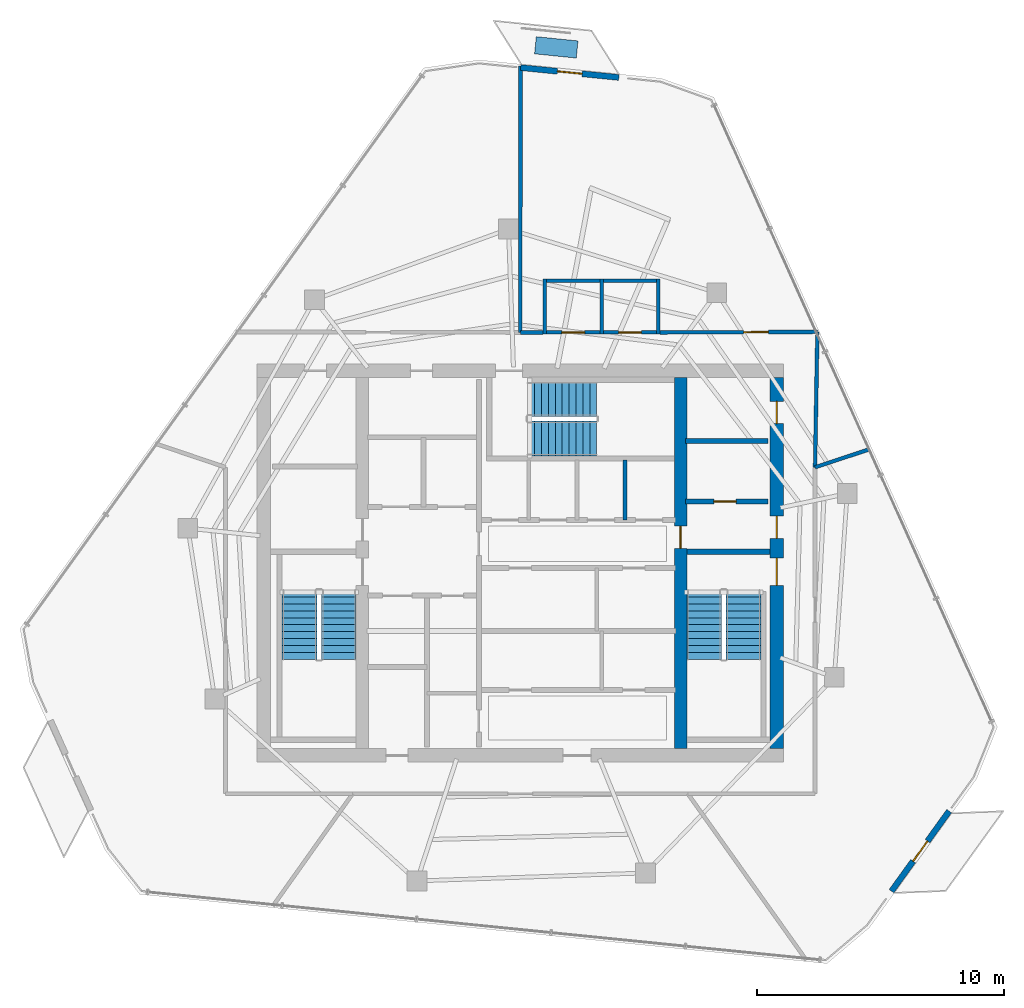
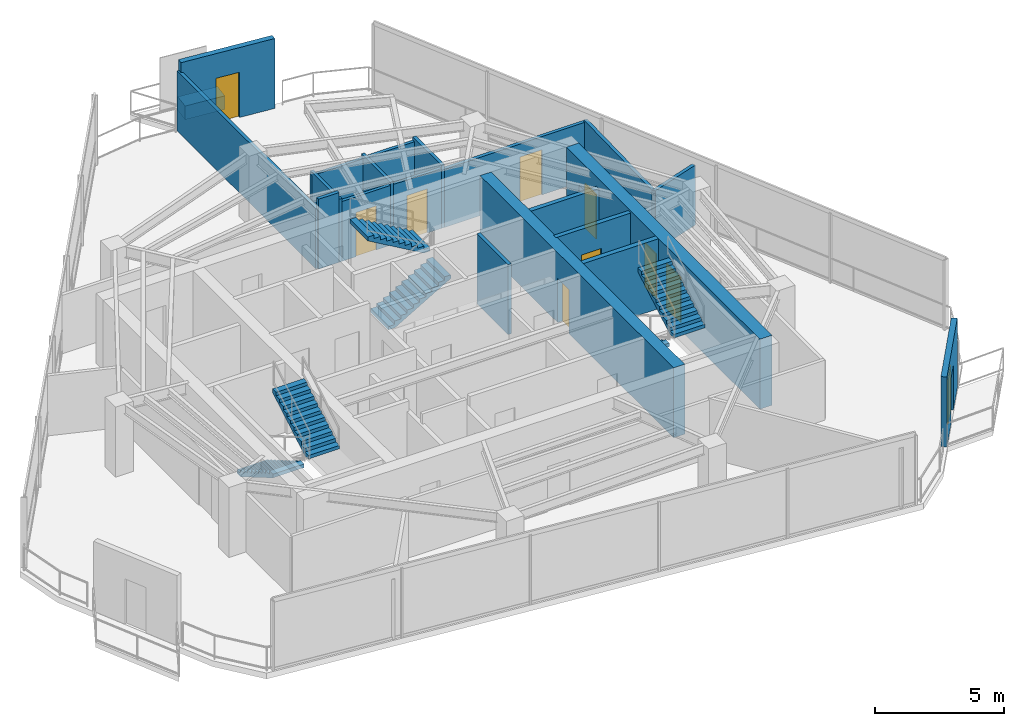
# One storey, part 16 of 18: 20 walls, 10 doors, 6 stair flights, 1 discrete accessory, 10 openings, 3 elements without a shape of their own.
"""IFC4 building model written with IfcOpenShell, lengths in metres."""

from ifc_helpers import new_model, si_unit, direction, frame, frame_2d, origin, origin_2d, place, context, subcontext, project, spatial, polyline, rectangle, outline, extrude, material, layer, layer_set, type_object, element, fill, aggregate, save


model = new_model("IFC4")

# Units and contexts
model_context = context("Model", 3, precision=1e-05, world=origin(), true_north=direction((0.0, 1.0)))
body_context = subcontext(model_context, "Body", "Model", "MODEL_VIEW")
ifc_project = project(units=[si_unit("LENGTHUNIT", "METRE"), si_unit("AREAUNIT", "SQUARE_METRE"), si_unit("VOLUMEUNIT", "CUBIC_METRE"), si_unit("PLANEANGLEUNIT", "RADIAN"), si_unit("MASSUNIT", "GRAM", prefix="KILO")], contexts=[model_context])

# Site, building, storey
site_placement = place(None, origin())
site = spatial("IfcSite", under=ifc_project, at=site_placement, CompositionType="ELEMENT")
building_placement = place(site_placement, origin())
building = spatial("IfcBuilding", under=site, at=building_placement, Name="Qarnah Convention Tower", CompositionType="ELEMENT")
storey_placement = place(building_placement, frame((0.0, 0.0, 271.5)))
storey = spatial("IfcBuildingStorey", under=building, at=storey_placement, Name="L73", CompositionType="ELEMENT", Elevation=271.5)

# Wall, openings, doors
ifc_material_1 = material(Name="Concrete C60/75", Category="concrete")
ifc_layer_1 = layer(ifc_material_1, 0.550048828125)
ifc_layer_set_1 = layer_set([ifc_layer_1], Name="Concrete C60/75")
wall_type_1 = type_object("IfcWallType", Name="WL-CORE-550", PredefinedType="SHEAR", material=ifc_layer_set_1)
wall_1_placement = place(storey_placement, frame((47.60009765625, 18.875, 0.0), z_axis=(0.0, 0.0, 1.0), x_axis=(0.0, 1.0, 0.0)))
wall_1 = element("IfcWall", 1, at=wall_1_placement, inside=storey, type_object=wall_type_1, Name="L73 core east shear wall", PredefinedType="SHEAR", context=body_context, shape_type="SweptSolid", body=[
    extrude(rectangle(XDim=15.050048828125, YDim=0.550048828125, at=frame_2d((7.52490234375, 0.0))), origin(), (0.0, 0.0, 1.0), 3.320068359375),
])
opening_1_placement = place(wall_1_placement, frame((6.625, 0.0, 0.0)))
opening_1 = element("IfcOpeningElement", 2, at=opening_1_placement, cuts=wall_1, Name="Opening D-7302", PredefinedType="OPENING", context=body_context, shape_type="SweptSolid", body=[
    extrude(rectangle(XDim=1.10009765625, YDim=2.14990234375, at=frame_2d((0.550048828125, 1.074951171875))), frame((0.0, 0.284912109375, 0.0), z_axis=(0.0, -1.0, 0.0), x_axis=(1.0, 0.0, 0.0)), (0.0, 0.0, 1.0), 0.570068359375),
])
opening_2_placement = place(wall_1_placement, frame((8.52490234375, 0.0, 0.0)))
opening_2 = element("IfcOpeningElement", 3, at=opening_2_placement, cuts=wall_1, Name="Opening D-7306", PredefinedType="OPENING", context=body_context, shape_type="SweptSolid", body=[
    extrude(rectangle(XDim=0.89990234375, YDim=2.10009765625, at=frame_2d((0.449951171875, 1.050048828125))), frame((0.0, 0.284912109375, 0.0), z_axis=(0.0, -1.0, 0.0), x_axis=(1.0, 0.0, 0.0)), (0.0, 0.0, 1.0), 0.570068359375),
])
opening_3_placement = place(wall_1_placement, frame((13.175048828125, 0.0, 0.0)))
opening_3 = element("IfcOpeningElement", 4, at=opening_3_placement, cuts=wall_1, Name="Opening D-7312", PredefinedType="OPENING", context=body_context, shape_type="SweptSolid", body=[
    extrude(rectangle(XDim=0.89990234375, YDim=2.10009765625, at=frame_2d((0.449951171875, 1.050048828125))), frame((0.0, 0.284912109375, 0.0), z_axis=(0.0, -1.0, 0.0), x_axis=(1.0, 0.0, 0.0)), (0.0, 0.0, 1.0), 0.570068359375),
])
ifc_material_2 = material(Name="Structural steel S355JR", Category="steel")
door_type_1 = type_object("IfcDoorType", Name="DT-RISER-900", OperationType="NOTDEFINED", PredefinedType="DOOR", material=ifc_material_2)
door_1_placement = place(opening_2_placement, origin())
door_1 = element("IfcDoor", 5, at=door_1_placement, inside=storey, type_object=door_type_1, Name="Door D-7306", OperationType="SINGLE_SWING_RIGHT", OverallHeight=2.10009765625, OverallWidth=0.89990234375, PredefinedType="DOOR", context=body_context, shape_type="SweptSolid", body=[
    extrude(rectangle(XDim=0.89990234375, YDim=2.10009765625, at=frame_2d((0.449951171875, 1.050048828125))), frame((0.0, 0.02490234375, 0.0), z_axis=(0.0, -1.0, 0.0), x_axis=(1.0, 0.0, 0.0)), (0.0, 0.0, 1.0), 0.050048828125),
])
fill(opening_2, door_1)
door_2_placement = place(opening_3_placement, origin())
door_2 = element("IfcDoor", 6, at=door_2_placement, inside=storey, type_object=door_type_1, Name="Door D-7312", OperationType="SINGLE_SWING_RIGHT", OverallHeight=2.10009765625, OverallWidth=0.89990234375, PredefinedType="DOOR", context=body_context, shape_type="SweptSolid", body=[
    extrude(rectangle(XDim=0.89990234375, YDim=2.10009765625, at=frame_2d((0.449951171875, 1.050048828125))), frame((0.0, 0.02490234375, 0.0), z_axis=(0.0, -1.0, 0.0), x_axis=(1.0, 0.0, 0.0)), (0.0, 0.0, 1.0), 0.050048828125),
])
fill(opening_3, door_2)
door_type_2 = type_object("IfcDoorType", Name="DT-STAIR-1100", OperationType="NOTDEFINED", PredefinedType="DOOR", material=ifc_material_2)
door_3_placement = place(opening_1_placement, origin())
door_3 = element("IfcDoor", 7, at=door_3_placement, inside=storey, type_object=door_type_2, Name="Door D-7302", OperationType="SINGLE_SWING_RIGHT", OverallHeight=2.14990234375, OverallWidth=1.10009765625, PredefinedType="DOOR", context=body_context, shape_type="SweptSolid", body=[
    extrude(rectangle(XDim=1.10009765625, YDim=2.14990234375, at=frame_2d((0.550048828125, 1.074951171875))), frame((0.0, 0.02490234375, 0.0), z_axis=(0.0, -1.0, 0.0), x_axis=(1.0, 0.0, 0.0)), (0.0, 0.0, 1.0), 0.050048828125),
])
fill(opening_1, door_3)

# Wall, opening, door
ifc_layer_2 = layer(ifc_material_1, 0.5)
ifc_layer_set_2 = layer_set([ifc_layer_2], Name="Concrete C60/75")
wall_type_2 = type_object("IfcWallType", Name="WL-CORE-INT-400", PredefinedType="SHEAR", material=ifc_layer_set_2)
wall_2_placement = place(storey_placement, frame((43.699951171875, 18.875, 0.0), z_axis=(0.0, 0.0, 1.0), x_axis=(0.0, 1.0, 0.0)))
wall_2 = element("IfcWall", 8, at=wall_2_placement, inside=storey, type_object=wall_type_2, Name="L73 core east spine shear wall", PredefinedType="SHEAR", context=body_context, shape_type="SweptSolid", body=[
    extrude(rectangle(XDim=15.050048828125, YDim=0.5, at=frame_2d((7.52490234375, 0.0))), origin(), (0.0, 0.0, 1.0), 3.320068359375),
])
opening_4_placement = place(wall_2_placement, frame((8.125, 0.0, 0.0)))
opening_4 = element("IfcOpeningElement", 9, at=opening_4_placement, cuts=wall_2, Name="Opening D-7305", PredefinedType="OPENING", context=body_context, shape_type="SweptSolid", body=[
    extrude(rectangle(XDim=0.89990234375, YDim=2.10009765625, at=frame_2d((0.449951171875, 1.050048828125))), frame((0.0, 0.260009765625, 0.0), z_axis=(0.0, -1.0, 0.0), x_axis=(1.0, 0.0, 0.0)), (0.0, 0.0, 1.0), 0.52001953125),
])
door_4_placement = place(opening_4_placement, origin())
door_4 = element("IfcDoor", 10, at=door_4_placement, inside=storey, type_object=door_type_1, Name="Door D-7305", OperationType="SINGLE_SWING_LEFT", OverallHeight=2.10009765625, OverallWidth=0.89990234375, PredefinedType="DOOR", context=body_context, shape_type="SweptSolid", body=[
    extrude(rectangle(XDim=0.89990234375, YDim=2.10009765625, at=frame_2d((0.449951171875, 1.050048828125))), frame((0.0, 0.02490234375, 0.0), z_axis=(0.0, -1.0, 0.0), x_axis=(1.0, 0.0, 0.0)), (0.0, 0.0, 1.0), 0.050048828125),
])
fill(opening_4, door_4)

ifc_material_3 = material(Name="Concrete C45/55", Category="concrete")
ifc_layer_3 = layer(ifc_material_3, 0.199951171875)
ifc_layer_set_3 = layer_set([ifc_layer_3], Name="Concrete C45/55")
wall_type_3 = type_object("IfcWallType", Name="WL-CORE-PART-200", PredefinedType="SOLIDWALL", material=ifc_layer_set_3)
wall_3_placement = place(storey_placement, frame((43.89990234375, 28.89990234375, 0.0), z_axis=(0.0, 0.0, 1.0), x_axis=(1.0, 0.0, 0.0)))
wall_3 = element("IfcWall", 11, at=wall_3_placement, inside=storey, type_object=wall_type_3, Name="L73 interior wall IW-L73-EVSTN", PredefinedType="SOLIDWALL", context=body_context, shape_type="SweptSolid", body=[
    extrude(rectangle(XDim=3.35009765625, YDim=0.199951171875, at=frame_2d((1.675048828125, 0.0))), origin(), (0.0, 0.0, 1.0), 3.320068359375),
])
opening_5_placement = place(wall_3_placement, frame((1.14990234375, 0.0, 0.0)))
opening_5 = element("IfcOpeningElement", 12, at=opening_5_placement, cuts=wall_3, Name="Opening D-7311", PredefinedType="OPENING", context=body_context, shape_type="SweptSolid", body=[
    extrude(rectangle(XDim=0.89990234375, YDim=2.10009765625, at=frame_2d((0.449951171875, 1.050048828125))), frame((0.0, 0.10986328125, 0.0), z_axis=(0.0, -1.0, 0.0), x_axis=(1.0, 0.0, 0.0)), (0.0, 0.0, 1.0), 0.219970703125),
])
door_5_placement = place(opening_5_placement, origin())
door_5 = element("IfcDoor", 13, at=door_5_placement, inside=storey, type_object=door_type_1, Name="Door D-7311", OperationType="SINGLE_SWING_LEFT", OverallHeight=2.10009765625, OverallWidth=0.89990234375, PredefinedType="DOOR", context=body_context, shape_type="SweptSolid", body=[
    extrude(rectangle(XDim=0.89990234375, YDim=2.10009765625, at=frame_2d((0.449951171875, 1.050048828125))), frame((0.0, 0.02490234375, 0.0), z_axis=(0.0, -1.0, 0.0), x_axis=(1.0, 0.0, 0.0)), (0.0, 0.0, 1.0), 0.050048828125),
])
fill(opening_5, door_5)

# Walls
wall_4_placement = place(storey_placement, frame((43.89990234375, 31.35009765625, 0.0), z_axis=(0.0, 0.0, 1.0), x_axis=(1.0, 0.0, 0.0)))
element("IfcWall", 14, at=wall_4_placement, inside=storey, type_object=wall_type_3, Name="L73 interior wall IW-L73-WTRN", PredefinedType="SOLIDWALL", context=body_context, shape_type="SweptSolid", body=[
    extrude(rectangle(XDim=3.35009765625, YDim=0.199951171875, at=frame_2d((1.675048828125, 0.0))), origin(), (0.0, 0.0, 1.0), 2.992919921875),
])
ifc_layer_4 = layer(ifc_material_1, 0.219970703125)
ifc_layer_set_4 = layer_set([ifc_layer_4], Name="Concrete C60/75")
wall_type_4 = type_object("IfcWallType", Name="WL-CORE-STAIR-220", PredefinedType="SHEAR", material=ifc_layer_set_4)
wall_5_placement = place(storey_placement, frame((43.949951171875, 26.860107421875, 0.0), z_axis=(0.0, 0.0, 1.0), x_axis=(1.0, 0.0, 0.0)))
element("IfcWall", 15, at=wall_5_placement, inside=storey, type_object=wall_type_4, Name="L73 stair shaft shear wall SW-L73-ST2N", PredefinedType="SHEAR", context=body_context, shape_type="SweptSolid", body=[
    extrude(rectangle(XDim=3.375, YDim=0.219970703125, at=frame_2d((1.6875, 0.0))), origin(), (0.0, 0.0, 1.0), 3.320068359375),
])

# Wall, opening, door
ifc_material_4 = material(Name="Precast concrete C45/55", Category="concrete")
ifc_layer_5 = layer(ifc_material_4, 0.239990234375)
ifc_layer_set_5 = layer_set([ifc_layer_5], Name="Precast concrete C45/55")
wall_type_5 = type_object("IfcWallType", Name="WL-EXT-BAL-240", PredefinedType="SOLIDWALL", material=ifc_layer_set_5)
wall_6_placement = place(storey_placement, frame((37.216064453125, 46.487060546875, 0.0), z_axis=(0.0, 0.0, 1.0), x_axis=(0.994959540857, -0.100277176152, 0.0)))
wall_6 = element("IfcWall", 16, at=wall_6_placement, inside=storey, type_object=wall_type_5, Name="L73 loggia threshold wall BAL-L73-C1", PredefinedType="SOLIDWALL", context=body_context, shape_type="SweptSolid", body=[
    extrude(rectangle(XDim=4.000244140625, YDim=0.239990234375, at=frame_2d((2.0, 0.0))), origin(), (0.0, 0.0, 1.0), 3.320068359375),
])
opening_6_placement = place(wall_6_placement, frame((1.5, 0.0, 0.0)))
opening_6 = element("IfcOpeningElement", 17, at=opening_6_placement, cuts=wall_6, Name="Opening BD-7301", PredefinedType="OPENING", context=body_context, shape_type="SweptSolid", body=[
    extrude(rectangle(XDim=1.0, YDim=2.14990234375, at=frame_2d((0.5, 1.074951171875))), frame((0.0, 0.1298828125, 0.0), z_axis=(0.0, -1.0, 0.0), x_axis=(1.0, 0.0, 0.0)), (0.0, 0.0, 1.0), 0.260009765625),
])
ifc_material_5 = material(Name="Black anodised aluminium", Category="aluminium")
door_type_3 = type_object("IfcDoorType", Name="DT-BAL-1000", OperationType="NOTDEFINED", PredefinedType="DOOR", material=ifc_material_5)
door_6_placement = place(opening_6_placement, origin())
door_6 = element("IfcDoor", 18, at=door_6_placement, inside=storey, type_object=door_type_3, Name="L73 balcony terrace door BAL-L73-C1", OperationType="SINGLE_SWING_RIGHT", OverallHeight=2.14990234375, OverallWidth=1.0, PredefinedType="DOOR", context=body_context, shape_type="SweptSolid", body=[
    extrude(rectangle(XDim=1.0, YDim=2.14990234375, at=frame_2d((0.5, 1.074951171875))), frame((0.0, 0.02490234375, 0.0), z_axis=(0.0, -1.0, 0.0), x_axis=(1.0, 0.0, 0.0)), (0.0, 0.0, 1.0), 0.050048828125),
])
fill(opening_6, door_6)

wall_7_placement = place(storey_placement, frame((54.587890625, 16.343017578125, 0.0), z_axis=(0.0, 0.0, 1.0), x_axis=(-0.584420476985, -0.811450988095, 0.0)))
wall_7 = element("IfcWall", 19, at=wall_7_placement, inside=storey, type_object=wall_type_5, Name="L73 loggia threshold wall BAL-L73-C3", PredefinedType="SOLIDWALL", context=body_context, shape_type="SweptSolid", body=[
    extrude(rectangle(XDim=4.000244140625, YDim=0.239990234375, at=frame_2d((2.0, 0.0))), origin(), (0.0, 0.0, 1.0), 3.320068359375),
])
opening_7_placement = place(wall_7_placement, frame((1.5, 0.0, 0.0)))
opening_7 = element("IfcOpeningElement", 20, at=opening_7_placement, cuts=wall_7, Name="Opening BD-7303", PredefinedType="OPENING", context=body_context, shape_type="SweptSolid", body=[
    extrude(rectangle(XDim=1.0, YDim=2.14990234375, at=frame_2d((0.5, 1.074951171875))), frame((0.0, 0.1298828125, 0.0), z_axis=(0.0, -1.0, 0.0), x_axis=(1.0, 0.0, 0.0)), (0.0, 0.0, 1.0), 0.260009765625),
])
door_7_placement = place(opening_7_placement, origin())
door_7 = element("IfcDoor", 21, at=door_7_placement, inside=storey, type_object=door_type_3, Name="L73 balcony terrace door BAL-L73-C3", OperationType="SINGLE_SWING_RIGHT", OverallHeight=2.14990234375, OverallWidth=1.0, PredefinedType="DOOR", context=body_context, shape_type="SweptSolid", body=[
    extrude(rectangle(XDim=1.0, YDim=2.14990234375, at=frame_2d((0.5, 1.074951171875))), frame((0.0, 0.02490234375, 0.0), z_axis=(0.0, -1.0, 0.0), x_axis=(1.0, 0.0, 0.0)), (0.0, 0.0, 1.0), 0.050048828125),
])
fill(opening_7, door_7)

# Walls
ifc_material_6 = material(Name="Gypsum partition board")
ifc_layer_6 = layer(ifc_material_6, 0.14990234375)
ifc_layer_set_6 = layer_set([ifc_layer_6], Name="Gypsum partition board")
wall_type_6 = type_object("IfcWallType", Name="WL-SUITE-150", PredefinedType="PARTITIONING", material=ifc_layer_set_6)
wall_8_placement = place(storey_placement, frame((41.449951171875, 28.14990234375, 0.0), z_axis=(0.0, 0.0, 1.0), x_axis=(0.0, 1.0, 0.0)))
element("IfcWall", 22, at=wall_8_placement, inside=storey, type_object=wall_type_6, Name="L73 interior wall IW-L73-PHD3", PredefinedType="PARTITIONING", context=body_context, shape_type="SweptSolid", body=[
    extrude(rectangle(XDim=2.43017578125, YDim=0.14990234375, at=frame_2d((1.215087890625, 0.0))), origin(), (0.0, 0.0, 1.0), 3.320068359375),
])
wall_9_placement = place(storey_placement, frame((49.2451171875, 35.77197265625, 0.0), z_axis=(0.0, 0.0, 1.0), x_axis=(-0.017343830358, -0.999849584462, 0.0)))
element("IfcWall", 23, at=wall_9_placement, inside=storey, type_object=wall_type_6, Name="L73 interior wall IW-L73-R-08", PredefinedType="PARTITIONING", context=body_context, shape_type="SweptSolid", body=[
    extrude(rectangle(XDim=5.48974609375, YDim=0.14990234375, at=frame_2d((2.744873046875, 0.0))), origin(), (0.0, 0.0, 1.0), 2.844970703125),
])
wall_10_placement = place(storey_placement, frame((49.14990234375, 30.282958984375, 0.0), z_axis=(0.0, 0.0, 1.0), x_axis=(0.949448945232, 0.313921487634, 0.0)))
element("IfcWall", 24, at=wall_10_placement, inside=storey, type_object=wall_type_6, Name="L73 interior wall IW-L73-R-09", PredefinedType="PARTITIONING", context=body_context, shape_type="SweptSolid", body=[
    extrude(rectangle(XDim=2.35107421875, YDim=0.14990234375, at=frame_2d((1.175537109375, 0.0))), origin(), (0.0, 0.0, 1.0), 2.844970703125),
])
wall_11_placement = place(storey_placement, frame((37.2119140625, 46.548095703125, 0.0), z_axis=(0.0, 0.0, 1.0), x_axis=(-0.001107869722, -0.999999386312, 0.0)))
element("IfcWall", 25, at=wall_11_placement, inside=storey, type_object=wall_type_6, Name="L73 interior wall IW-L73-R-10", PredefinedType="PARTITIONING", context=body_context, shape_type="SweptSolid", body=[
    extrude(rectangle(XDim=10.798095703125, YDim=0.14990234375, at=frame_2d((5.39892578125, 0.0))), origin(), (0.0, 0.0, 1.0), 2.844970703125),
])
wall_12_placement = place(storey_placement, frame((37.199951171875, 35.75, 0.0), z_axis=(0.0, 0.0, 1.0), x_axis=(1.0, 0.0, 0.0)))
element("IfcWall", 26, at=wall_12_placement, inside=storey, type_object=wall_type_6, Name="L73 interior wall IW-L73-R-11", PredefinedType="PARTITIONING", context=body_context, shape_type="SweptSolid", body=[
    extrude(rectangle(XDim=0.929931640625, YDim=0.14990234375, at=frame_2d((0.46484375, 0.0))), origin(), (0.0, 0.0, 1.0), 3.320068359375),
])

# Wall, opening, door
wall_13_placement = place(storey_placement, frame((42.8701171875, 35.75, 0.0), z_axis=(0.0, 0.0, 1.0), x_axis=(0.999994060213, 0.003446670704, 0.0)))
wall_13 = element("IfcWall", 27, at=wall_13_placement, inside=storey, type_object=wall_type_6, Name="L73 interior wall IW-L73-R-12", PredefinedType="PARTITIONING", context=body_context, shape_type="SweptSolid", body=[
    extrude(rectangle(XDim=6.375, YDim=0.14990234375, at=frame_2d((3.1875, 0.0))), origin(), (0.0, 0.0, 1.0), 2.76904296875),
])
opening_8_placement = place(wall_13_placement, frame((3.386962890625, 0.0, 0.0)))
opening_8 = element("IfcOpeningElement", 28, at=opening_8_placement, cuts=wall_13, Name="Opening D-7322", PredefinedType="OPENING", context=body_context, shape_type="SweptSolid", body=[
    extrude(rectangle(XDim=1.0, YDim=2.14990234375, at=frame_2d((0.5, 1.074951171875))), frame((0.0, 0.0849609375, 0.0), z_axis=(0.0, -1.0, 0.0), x_axis=(1.0, 0.0, 0.0)), (0.0, 0.0, 1.0), 0.169921875),
])
ifc_material_7 = material(Name="Oak timber veneer", Category="wood")
door_type_4 = type_object("IfcDoorType", Name="DT-OFFICE-1000", OperationType="NOTDEFINED", PredefinedType="DOOR", material=ifc_material_7)
door_8_placement = place(opening_8_placement, origin())
door_8 = element("IfcDoor", 29, at=door_8_placement, inside=storey, type_object=door_type_4, Name="Door D-7322", OperationType="SINGLE_SWING_RIGHT", OverallHeight=2.14990234375, OverallWidth=1.0, PredefinedType="DOOR", context=body_context, shape_type="SweptSolid", body=[
    extrude(rectangle(XDim=1.0, YDim=2.14990234375, at=frame_2d((0.5, 1.074951171875))), frame((0.0, 0.02490234375, 0.0), z_axis=(0.0, -1.0, 0.0), x_axis=(1.0, 0.0, 0.0)), (0.0, 0.0, 1.0), 0.050048828125),
])
fill(opening_8, door_8)

ifc_layer_7 = layer(ifc_material_6, 0.139892578125)
ifc_layer_set_7 = layer_set([ifc_layer_7], Name="Gypsum partition board")
wall_type_7 = type_object("IfcWallType", Name="WL-WET-140", PredefinedType="PARTITIONING", material=ifc_layer_set_7)
wall_14_placement = place(storey_placement, frame((38.1298828125, 35.75, 0.0), z_axis=(0.0, 0.0, 1.0), x_axis=(1.0, 0.0, 0.0)))
wall_14 = element("IfcWall", 30, at=wall_14_placement, inside=storey, type_object=wall_type_7, Name="L73 interior wall IW-L73-WCM-1", PredefinedType="PARTITIONING", context=body_context, shape_type="SweptSolid", body=[
    extrude(rectangle(XDim=2.440185546875, YDim=0.139892578125, at=frame_2d((1.22021484375, 0.0))), origin(), (0.0, 0.0, 1.0), 2.841064453125),
])
opening_9_placement = place(wall_14_placement, frame((0.760009765625, 0.0, 0.0)))
opening_9 = element("IfcOpeningElement", 31, at=opening_9_placement, cuts=wall_14, Name="Opening D-7320", PredefinedType="OPENING", context=body_context, shape_type="SweptSolid", body=[
    extrude(rectangle(XDim=0.919921875, YDim=2.10009765625, at=frame_2d((0.4599609375, 1.050048828125))), frame((0.0, 0.079833984375, 0.0), z_axis=(0.0, -1.0, 0.0), x_axis=(1.0, 0.0, 0.0)), (0.0, 0.0, 1.0), 0.159912109375),
])
door_type_5 = type_object("IfcDoorType", Name="DT-WC-920", OperationType="NOTDEFINED", PredefinedType="DOOR", material=ifc_material_7)
door_9_placement = place(opening_9_placement, origin())
door_9 = element("IfcDoor", 32, at=door_9_placement, inside=storey, type_object=door_type_5, Name="Door D-7320", OperationType="SINGLE_SWING_RIGHT", OverallHeight=2.10009765625, OverallWidth=0.919921875, PredefinedType="DOOR", context=body_context, shape_type="SweptSolid", body=[
    extrude(rectangle(XDim=0.919921875, YDim=2.10009765625, at=frame_2d((0.4599609375, 1.050048828125))), frame((0.0, 0.02490234375, 0.0), z_axis=(0.0, -1.0, 0.0), x_axis=(1.0, 0.0, 0.0)), (0.0, 0.0, 1.0), 0.050048828125),
])
fill(opening_9, door_9)

# Walls
wall_15_placement = place(storey_placement, frame((40.5, 35.679931640625, 0.0), z_axis=(0.0, 0.0, 1.0), x_axis=(0.0, 1.0, 0.0)))
element("IfcWall", 33, at=wall_15_placement, inside=storey, type_object=wall_type_7, Name="L73 interior wall IW-L73-WCM-2", PredefinedType="PARTITIONING", context=body_context, shape_type="SweptSolid", body=[
    extrude(rectangle(XDim=2.239990234375, YDim=0.139892578125, at=frame_2d((1.1201171875, 0.0))), origin(), (0.0, 0.0, 1.0), 2.992919921875),
])
wall_16_placement = place(storey_placement, frame((40.570068359375, 37.85009765625, 0.0), z_axis=(0.0, 0.0, 1.0), x_axis=(-1.0, 0.0, 0.0)))
element("IfcWall", 34, at=wall_16_placement, inside=storey, type_object=wall_type_7, Name="L73 interior wall IW-L73-WCM-3", PredefinedType="PARTITIONING", context=body_context, shape_type="SweptSolid", body=[
    extrude(rectangle(XDim=2.440185546875, YDim=0.139892578125, at=frame_2d((1.22021484375, 0.0))), origin(), (0.0, 0.0, 1.0), 2.841064453125),
])
wall_17_placement = place(storey_placement, frame((38.199951171875, 37.919921875, 0.0), z_axis=(0.0, 0.0, 1.0), x_axis=(0.0, -1.0, 0.0)))
element("IfcWall", 35, at=wall_17_placement, inside=storey, type_object=wall_type_7, Name="L73 interior wall IW-L73-WCM-4", PredefinedType="PARTITIONING", context=body_context, shape_type="SweptSolid", body=[
    extrude(rectangle(XDim=2.239990234375, YDim=0.139892578125, at=frame_2d((1.1201171875, 0.0))), origin(), (0.0, 0.0, 1.0), 2.992919921875),
])

# Wall, opening, door
wall_18_placement = place(storey_placement, frame((40.429931640625, 35.75, 0.0), z_axis=(0.0, 0.0, 1.0), x_axis=(1.0, 0.0, 0.0)))
wall_18 = element("IfcWall", 36, at=wall_18_placement, inside=storey, type_object=wall_type_7, Name="L73 interior wall IW-L73-WCF-1", PredefinedType="PARTITIONING", context=body_context, shape_type="SweptSolid", body=[
    extrude(rectangle(XDim=2.440185546875, YDim=0.139892578125, at=frame_2d((1.22021484375, 0.0))), origin(), (0.0, 0.0, 1.0), 2.841064453125),
])
opening_10_placement = place(wall_18_placement, frame((0.760009765625, 0.0, 0.0)))
opening_10 = element("IfcOpeningElement", 37, at=opening_10_placement, cuts=wall_18, Name="Opening D-7321", PredefinedType="OPENING", context=body_context, shape_type="SweptSolid", body=[
    extrude(rectangle(XDim=0.919921875, YDim=2.10009765625, at=frame_2d((0.4599609375, 1.050048828125))), frame((0.0, 0.079833984375, 0.0), z_axis=(0.0, -1.0, 0.0), x_axis=(1.0, 0.0, 0.0)), (0.0, 0.0, 1.0), 0.159912109375),
])
door_10_placement = place(opening_10_placement, origin())
door_10 = element("IfcDoor", 38, at=door_10_placement, inside=storey, type_object=door_type_5, Name="Door D-7321", OperationType="SINGLE_SWING_LEFT", OverallHeight=2.10009765625, OverallWidth=0.919921875, PredefinedType="DOOR", context=body_context, shape_type="SweptSolid", body=[
    extrude(rectangle(XDim=0.919921875, YDim=2.10009765625, at=frame_2d((0.4599609375, 1.050048828125))), frame((0.0, 0.02490234375, 0.0), z_axis=(0.0, -1.0, 0.0), x_axis=(1.0, 0.0, 0.0)), (0.0, 0.0, 1.0), 0.050048828125),
])
fill(opening_10, door_10)

# Walls
wall_19_placement = place(storey_placement, frame((42.800048828125, 35.679931640625, 0.0), z_axis=(0.0, 0.0, 1.0), x_axis=(0.0, 1.0, 0.0)))
element("IfcWall", 39, at=wall_19_placement, inside=storey, type_object=wall_type_7, Name="L73 interior wall IW-L73-WCF-2", PredefinedType="PARTITIONING", context=body_context, shape_type="SweptSolid", body=[
    extrude(rectangle(XDim=2.239990234375, YDim=0.139892578125, at=frame_2d((1.1201171875, 0.0))), origin(), (0.0, 0.0, 1.0), 2.992919921875),
])
wall_20_placement = place(storey_placement, frame((42.8701171875, 37.85009765625, 0.0), z_axis=(0.0, 0.0, 1.0), x_axis=(-1.0, 0.0, 0.0)))
element("IfcWall", 40, at=wall_20_placement, inside=storey, type_object=wall_type_7, Name="L73 interior wall IW-L73-WCF-3", PredefinedType="PARTITIONING", context=body_context, shape_type="SweptSolid", body=[
    extrude(rectangle(XDim=2.440185546875, YDim=0.139892578125, at=frame_2d((1.22021484375, 0.0))), origin(), (0.0, 0.0, 1.0), 2.841064453125),
])

# Stair, stair flights
ifc_material_8 = material(Name="Concrete C50/60", Category="concrete")
stair_type = type_object("IfcStairType", Name="STR-OFF", PredefinedType="HALF_TURN_STAIR", material=ifc_material_8)
stair_1_placement = place(storey_placement, origin())
stair_1 = element("IfcStair", 41, at=stair_1_placement, inside=storey, type_object=stair_type, Name="L73 Core exit stair ST-1", PredefinedType="HALF_TURN_STAIR")
stair_flight_type = type_object("IfcStairFlightType", Name="FLT-OFF", PredefinedType="STRAIGHT", material=ifc_material_8)
stair_flight_1_placement = place(storey_placement, frame((28.25, 25.300048828125, 0.0), z_axis=(0.0, 0.0, 1.0), x_axis=(0.0, -1.0, 0.0)))
stair_flight_1 = element("IfcStairFlight", 42, at=stair_flight_1_placement, type_object=stair_flight_type, Name="ST-1 flight 1", NumberOfRisers=11, NumberOfTreads=10, PredefinedType="STRAIGHT", RiserHeight=0.163636364, TreadLength=0.28, context=body_context, shape_type="SweptSolid", body=[
    extrude(outline(polyline([(0.0, 0.0), (0.0, 0.16357421875), (0.280029296875, 0.16357421875), (0.280029296875, 0.327392578125), (0.56005859375, 0.327392578125), (0.56005859375, 0.490966796875), (0.840087890625, 0.490966796875), (0.840087890625, 0.654541015625), (1.1201171875, 0.654541015625), (1.1201171875, 0.818115234375), (1.39990234375, 0.818115234375), (1.39990234375, 0.98193359375), (1.679931640625, 0.98193359375), (1.679931640625, 1.1455078125), (1.9599609375, 1.1455078125), (1.9599609375, 1.30908203125), (2.239990234375, 1.30908203125), (2.239990234375, 1.47265625), (2.52001953125, 1.47265625), (2.52001953125, 1.636474609375), (2.800048828125, 1.636474609375), (2.800048828125, 1.800048828125), (2.800048828125, 1.462646484375), (0.297119140625, 0.0), (0.0, 0.0)])), frame((0.0, 0.699951171875, 0.0), z_axis=(0.0, -1.0, 0.0), x_axis=(1.0, 0.0, 0.0)), (0.0, 0.0, 1.0), 1.39990234375),
])
stair_flight_2_placement = place(storey_placement, frame((29.85009765625, 22.5, 1.800048828125), z_axis=(0.0, 0.0, 1.0), x_axis=(0.0, 1.0, 0.0)))
stair_flight_2 = element("IfcStairFlight", 43, at=stair_flight_2_placement, type_object=stair_flight_type, Name="ST-1 flight 2", NumberOfRisers=11, NumberOfTreads=10, PredefinedType="STRAIGHT", RiserHeight=0.163636364, TreadLength=0.28, context=body_context, shape_type="SweptSolid", body=[
    extrude(outline(polyline([(0.0, 0.0), (0.0, 0.16357421875), (0.280029296875, 0.16357421875), (0.280029296875, 0.327392578125), (0.56005859375, 0.327392578125), (0.56005859375, 0.490966796875), (0.840087890625, 0.490966796875), (0.840087890625, 0.654541015625), (1.1201171875, 0.654541015625), (1.1201171875, 0.818115234375), (1.39990234375, 0.818115234375), (1.39990234375, 0.98193359375), (1.679931640625, 0.98193359375), (1.679931640625, 1.1455078125), (1.9599609375, 1.1455078125), (1.9599609375, 1.30908203125), (2.239990234375, 1.30908203125), (2.239990234375, 1.47265625), (2.52001953125, 1.47265625), (2.52001953125, 1.636474609375), (2.800048828125, 1.636474609375), (2.800048828125, 1.800048828125), (2.800048828125, 1.462646484375), (0.297119140625, 0.0), (0.0, 0.0)])), frame((0.0, 0.699951171875, 0.0), z_axis=(0.0, -1.0, 0.0), x_axis=(1.0, 0.0, 0.0)), (0.0, 0.0, 1.0), 1.39990234375),
])
aggregate(stair_1, [stair_flight_1, stair_flight_2])

stair_2_placement = place(storey_placement, origin())
stair_2 = element("IfcStair", 44, at=stair_2_placement, inside=storey, type_object=stair_type, Name="L73 Core exit stair ST-2", PredefinedType="HALF_TURN_STAIR")
stair_flight_3_placement = place(storey_placement, frame((44.64990234375, 25.300048828125, 0.0), z_axis=(0.0, 0.0, 1.0), x_axis=(0.0, -1.0, 0.0)))
stair_flight_3 = element("IfcStairFlight", 45, at=stair_flight_3_placement, type_object=stair_flight_type, Name="ST-2 flight 1", NumberOfRisers=11, NumberOfTreads=10, PredefinedType="STRAIGHT", RiserHeight=0.163636364, TreadLength=0.28, context=body_context, shape_type="SweptSolid", body=[
    extrude(outline(polyline([(0.0, 0.0), (0.0, 0.16357421875), (0.280029296875, 0.16357421875), (0.280029296875, 0.327392578125), (0.56005859375, 0.327392578125), (0.56005859375, 0.490966796875), (0.840087890625, 0.490966796875), (0.840087890625, 0.654541015625), (1.1201171875, 0.654541015625), (1.1201171875, 0.818115234375), (1.39990234375, 0.818115234375), (1.39990234375, 0.98193359375), (1.679931640625, 0.98193359375), (1.679931640625, 1.1455078125), (1.9599609375, 1.1455078125), (1.9599609375, 1.30908203125), (2.239990234375, 1.30908203125), (2.239990234375, 1.47265625), (2.52001953125, 1.47265625), (2.52001953125, 1.636474609375), (2.800048828125, 1.636474609375), (2.800048828125, 1.800048828125), (2.800048828125, 1.462646484375), (0.297119140625, 0.0), (0.0, 0.0)])), frame((0.0, 0.699951171875, 0.0), z_axis=(0.0, -1.0, 0.0), x_axis=(1.0, 0.0, 0.0)), (0.0, 0.0, 1.0), 1.39990234375),
])
stair_flight_4_placement = place(storey_placement, frame((46.25, 22.5, 1.800048828125), z_axis=(0.0, 0.0, 1.0), x_axis=(0.0, 1.0, 0.0)))
stair_flight_4 = element("IfcStairFlight", 46, at=stair_flight_4_placement, type_object=stair_flight_type, Name="ST-2 flight 2", NumberOfRisers=11, NumberOfTreads=10, PredefinedType="STRAIGHT", RiserHeight=0.163636364, TreadLength=0.28, context=body_context, shape_type="SweptSolid", body=[
    extrude(outline(polyline([(0.0, 0.0), (0.0, 0.16357421875), (0.280029296875, 0.16357421875), (0.280029296875, 0.327392578125), (0.56005859375, 0.327392578125), (0.56005859375, 0.490966796875), (0.840087890625, 0.490966796875), (0.840087890625, 0.654541015625), (1.1201171875, 0.654541015625), (1.1201171875, 0.818115234375), (1.39990234375, 0.818115234375), (1.39990234375, 0.98193359375), (1.679931640625, 0.98193359375), (1.679931640625, 1.1455078125), (1.9599609375, 1.1455078125), (1.9599609375, 1.30908203125), (2.239990234375, 1.30908203125), (2.239990234375, 1.47265625), (2.52001953125, 1.47265625), (2.52001953125, 1.636474609375), (2.800048828125, 1.636474609375), (2.800048828125, 1.800048828125), (2.800048828125, 1.462646484375), (0.297119140625, 0.0), (0.0, 0.0)])), frame((0.0, 0.699951171875, 0.0), z_axis=(0.0, -1.0, 0.0), x_axis=(1.0, 0.0, 0.0)), (0.0, 0.0, 1.0), 1.39990234375),
])
aggregate(stair_2, [stair_flight_3, stair_flight_4])

stair_3_placement = place(storey_placement, origin())
stair_3 = element("IfcStair", 47, at=stair_3_placement, inside=storey, type_object=stair_type, Name="L73 Core exit stair ST-3", PredefinedType="HALF_TURN_STAIR")
stair_flight_5_placement = place(storey_placement, frame((37.5, 31.449951171875, 0.0), z_axis=(0.0, 0.0, 1.0), x_axis=(1.0, 0.0, 0.0)))
stair_flight_5 = element("IfcStairFlight", 48, at=stair_flight_5_placement, type_object=stair_flight_type, Name="ST-3 flight 1", NumberOfRisers=11, NumberOfTreads=10, PredefinedType="STRAIGHT", RiserHeight=0.163636364, TreadLength=0.28, context=body_context, shape_type="SweptSolid", body=[
    extrude(outline(polyline([(0.0, 0.0), (0.0, 0.16357421875), (0.280029296875, 0.16357421875), (0.280029296875, 0.327392578125), (0.56005859375, 0.327392578125), (0.56005859375, 0.490966796875), (0.840087890625, 0.490966796875), (0.840087890625, 0.654541015625), (1.1201171875, 0.654541015625), (1.1201171875, 0.818115234375), (1.39990234375, 0.818115234375), (1.39990234375, 0.98193359375), (1.679931640625, 0.98193359375), (1.679931640625, 1.1455078125), (1.9599609375, 1.1455078125), (1.9599609375, 1.30908203125), (2.239990234375, 1.30908203125), (2.239990234375, 1.47265625), (2.52001953125, 1.47265625), (2.52001953125, 1.636474609375), (2.800048828125, 1.636474609375), (2.800048828125, 1.800048828125), (2.800048828125, 1.462646484375), (0.297119140625, 0.0), (0.0, 0.0)])), frame((0.0, 0.699951171875, 0.0), z_axis=(0.0, -1.0, 0.0), x_axis=(1.0, 0.0, 0.0)), (0.0, 0.0, 1.0), 1.39990234375),
])
stair_flight_6_placement = place(storey_placement, frame((40.300048828125, 33.050048828125, 1.800048828125), z_axis=(0.0, 0.0, 1.0), x_axis=(-1.0, 0.0, 0.0)))
stair_flight_6 = element("IfcStairFlight", 49, at=stair_flight_6_placement, type_object=stair_flight_type, Name="ST-3 flight 2", NumberOfRisers=11, NumberOfTreads=10, PredefinedType="STRAIGHT", RiserHeight=0.163636364, TreadLength=0.28, context=body_context, shape_type="SweptSolid", body=[
    extrude(outline(polyline([(0.0, 0.0), (0.0, 0.16357421875), (0.280029296875, 0.16357421875), (0.280029296875, 0.327392578125), (0.56005859375, 0.327392578125), (0.56005859375, 0.490966796875), (0.840087890625, 0.490966796875), (0.840087890625, 0.654541015625), (1.1201171875, 0.654541015625), (1.1201171875, 0.818115234375), (1.39990234375, 0.818115234375), (1.39990234375, 0.98193359375), (1.679931640625, 0.98193359375), (1.679931640625, 1.1455078125), (1.9599609375, 1.1455078125), (1.9599609375, 1.30908203125), (2.239990234375, 1.30908203125), (2.239990234375, 1.47265625), (2.52001953125, 1.47265625), (2.52001953125, 1.636474609375), (2.800048828125, 1.636474609375), (2.800048828125, 1.800048828125), (2.800048828125, 1.462646484375), (0.297119140625, 0.0), (0.0, 0.0)])), frame((0.0, 0.699951171875, 0.0), z_axis=(0.0, -1.0, 0.0), x_axis=(1.0, 0.0, 0.0)), (0.0, 0.0, 1.0), 1.39990234375),
])
aggregate(stair_3, [stair_flight_5, stair_flight_6])

# Discrete accessory
discrete_accessory_type = type_object("IfcDiscreteAccessoryType", Name="ACC-PLANTER-900", PredefinedType="USERDEFINED", material=ifc_material_4)
discrete_accessory_placement = place(storey_placement, frame((38.660888671875, 47.305908203125, 0.0), z_axis=(0.0, 0.0, 1.0), x_axis=(-0.994968518251, 0.100188061612, 0.0)))
element("IfcDiscreteAccessory", 50, at=discrete_accessory_placement, inside=storey, type_object=discrete_accessory_type, Name="L73 irrigated desert balcony PLANTER BAL-L73-C1", ObjectType="PLANTER", PredefinedType="USERDEFINED", context=body_context, shape_type="SweptSolid", body=[
    extrude(rectangle(XDim=1.699951171875, YDim=0.699951171875, at=origin_2d()), origin(), (0.0, 0.0, 1.0), 0.64990234375),
])

save(model, "model.ifc")
